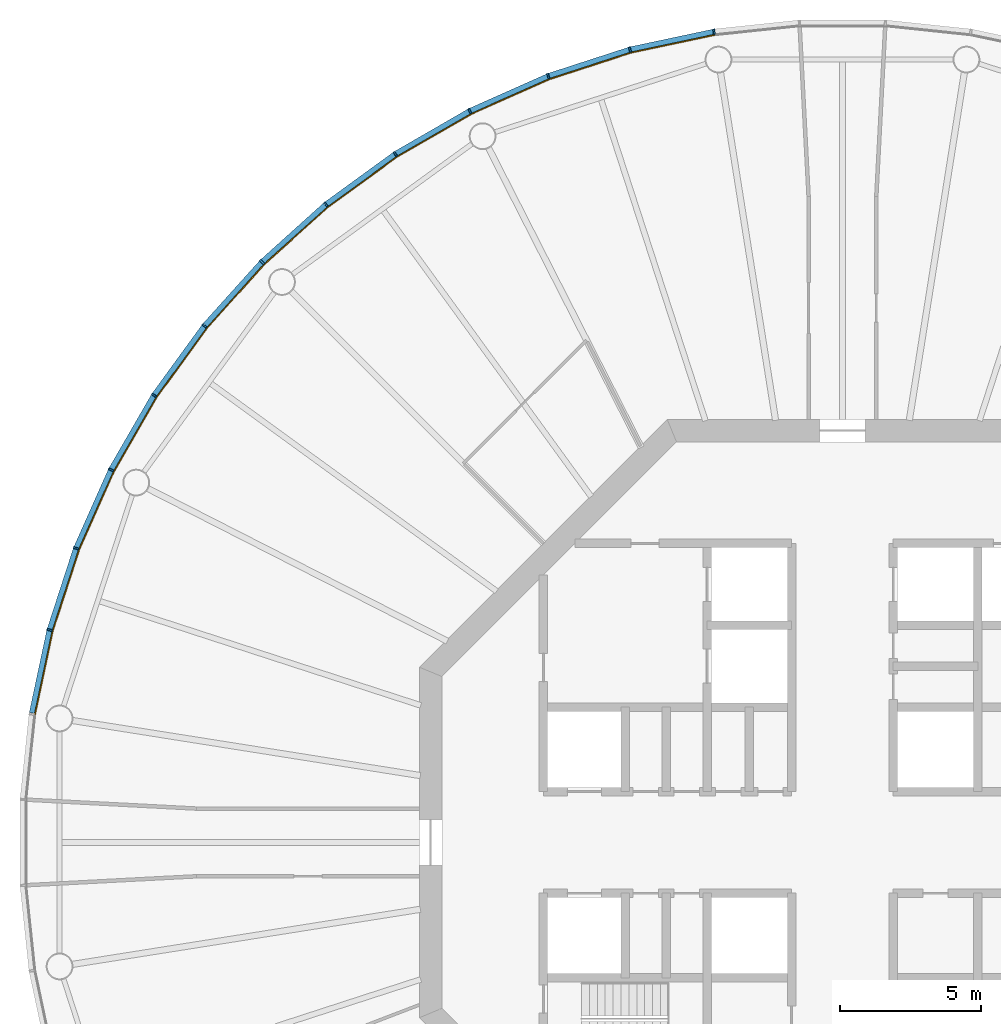
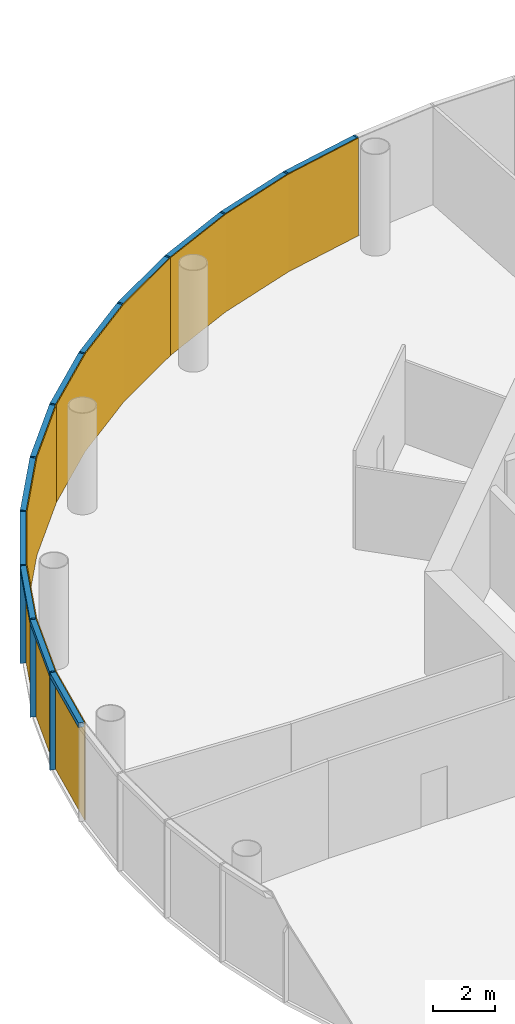
# One storey, part 10 of 13: 24 members, 4 curtain walls.
"""IFC4 building model written with IfcOpenShell, lengths in metres."""

from ifc_helpers import new_model, si_unit, direction, frame, origin, origin_2d, place, context, subcontext, project, spatial, polyline, rectangle, outline, extrude, material, layer, layer_set, material_profile, profile_set, type_object, element, aggregate, save


model = new_model("IFC4")

# Units and contexts
model_context = context("Model", 3, precision=1e-05, world=origin(), true_north=direction((0.0, 1.0)))
body_context = subcontext(model_context, "Body", "Model", "MODEL_VIEW")
ifc_project = project(units=[si_unit("LENGTHUNIT", "METRE"), si_unit("AREAUNIT", "SQUARE_METRE"), si_unit("VOLUMEUNIT", "CUBIC_METRE"), si_unit("PLANEANGLEUNIT", "RADIAN"), si_unit("MASSUNIT", "GRAM", prefix="KILO")], contexts=[model_context])

# Member
ifc_material_1 = material(Name="Anodised aluminium", Category="aluminium")
ifc_material_profile_1 = material_profile(ifc_material_1, rectangle(XDim=0.06494140625, YDim=0.195068359375, at=origin_2d()), Name="Mullion 65 x 195 mm anodised aluminium")
ifc_profile_set_1 = profile_set([ifc_material_profile_1], Name="Anodised aluminium")
member_type_1 = type_object("IfcMemberType", Name="Mullion 65 x 195 mm anodised aluminium", PredefinedType="MULLION", material=ifc_profile_set_1)
site_placement = place(None, origin())
building_placement = place(site_placement, origin())
storey_placement = place(building_placement, frame((0.0, 0.0, 302.0)))
member_1_placement = place(storey_placement, frame((85.4482421875, 108.7392578125, 0.0), z_axis=(0.0, 0.0, 1.0), x_axis=(-0.987688340595, -0.15643446504, 0.0)))
member_1 = element("IfcMember", 1, at=member_1_placement, type_object=member_type_1, Name="MULLION L69-15", PredefinedType="MULLION", context=body_context, shape_type="SweptSolid", body=[
    extrude(rectangle(XDim=0.06494140625, YDim=0.195068359375, at=origin_2d()), origin(), (0.0, 0.0, 1.0), 3.85009765625),
])

member_2_placement = place(storey_placement, frame((82.468994140625, 108.10595703125, 0.0), z_axis=(0.0, 0.0, 1.0), x_axis=(-0.965925826289, -0.258819045103, 0.0)))
member_2 = element("IfcMember", 2, at=member_2_placement, type_object=member_type_1, Name="MULLION L69-16", PredefinedType="MULLION", context=body_context, shape_type="SweptSolid", body=[
    extrude(rectangle(XDim=0.06494140625, YDim=0.195068359375, at=origin_2d()), origin(), (0.0, 0.0, 1.0), 3.85009765625),
])

member_3_placement = place(storey_placement, frame((79.572509765625, 107.164794921875, 0.0), z_axis=(0.0, 0.0, 1.0), x_axis=(-0.933580426497, -0.358367949545, 0.0)))
member_3 = element("IfcMember", 3, at=member_3_placement, type_object=member_type_1, Name="MULLION L69-17", PredefinedType="MULLION", context=body_context, shape_type="SweptSolid", body=[
    extrude(rectangle(XDim=0.06494140625, YDim=0.195068359375, at=origin_2d()), origin(), (0.0, 0.0, 1.0), 3.85009765625),
])

member_4_placement = place(storey_placement, frame((76.7900390625, 105.926025390625, 0.0), z_axis=(0.0, 0.0, 1.0), x_axis=(-0.891006524188, -0.45399049974, 0.0)))
member_4 = element("IfcMember", 4, at=member_4_placement, type_object=member_type_1, Name="MULLION L69-18", PredefinedType="MULLION", context=body_context, shape_type="SweptSolid", body=[
    extrude(rectangle(XDim=0.06494140625, YDim=0.195068359375, at=origin_2d()), origin(), (0.0, 0.0, 1.0), 3.85009765625),
])

member_5_placement = place(storey_placement, frame((74.15234375, 104.4033203125, 0.0), z_axis=(0.0, 0.0, 1.0), x_axis=(-0.838670567945, -0.544639035015, 0.0)))
member_5 = element("IfcMember", 5, at=member_5_placement, type_object=member_type_1, Name="MULLION L69-19", PredefinedType="MULLION", context=body_context, shape_type="SweptSolid", body=[
    extrude(rectangle(XDim=0.06494140625, YDim=0.195068359375, at=origin_2d()), origin(), (0.0, 0.0, 1.0), 3.85009765625),
])

member_6_placement = place(storey_placement, frame((71.688232421875, 102.613037109375, 0.0), z_axis=(0.0, 0.0, 1.0), x_axis=(-0.777145961457, -0.62932039105, 0.0)))
member_6 = element("IfcMember", 6, at=member_6_placement, type_object=member_type_1, Name="MULLION L69-20", PredefinedType="MULLION", context=body_context, shape_type="SweptSolid", body=[
    extrude(rectangle(XDim=0.06494140625, YDim=0.195068359375, at=origin_2d()), origin(), (0.0, 0.0, 1.0), 3.85009765625),
])

member_7_placement = place(storey_placement, frame((69.425048828125, 100.574951171875, 0.0), z_axis=(0.0, 0.0, 1.0), x_axis=(-0.707106781187, -0.707106781187, 0.0)))
member_7 = element("IfcMember", 7, at=member_7_placement, type_object=member_type_1, Name="MULLION L69-21", PredefinedType="MULLION", context=body_context, shape_type="SweptSolid", body=[
    extrude(rectangle(XDim=0.06494140625, YDim=0.195068359375, at=origin_2d()), origin(), (0.0, 0.0, 1.0), 3.85009765625),
])

member_8_placement = place(storey_placement, frame((67.386962890625, 98.311767578125, 0.0), z_axis=(0.0, 0.0, 1.0), x_axis=(-0.62932039105, -0.777145961457, 0.0)))
member_8 = element("IfcMember", 8, at=member_8_placement, type_object=member_type_1, Name="MULLION L69-22", PredefinedType="MULLION", context=body_context, shape_type="SweptSolid", body=[
    extrude(rectangle(XDim=0.06494140625, YDim=0.195068359375, at=origin_2d()), origin(), (0.0, 0.0, 1.0), 3.85009765625),
])

member_9_placement = place(storey_placement, frame((65.5966796875, 95.84765625, 0.0), z_axis=(0.0, 0.0, 1.0), x_axis=(-0.544639035015, -0.838670567945, 0.0)))
member_9 = element("IfcMember", 9, at=member_9_placement, type_object=member_type_1, Name="MULLION L69-23", PredefinedType="MULLION", context=body_context, shape_type="SweptSolid", body=[
    extrude(rectangle(XDim=0.06494140625, YDim=0.195068359375, at=origin_2d()), origin(), (0.0, 0.0, 1.0), 3.85009765625),
])

member_10_placement = place(storey_placement, frame((64.073974609375, 93.2099609375, 0.0), z_axis=(0.0, 0.0, 1.0), x_axis=(-0.45399049974, -0.891006524188, 0.0)))
member_10 = element("IfcMember", 10, at=member_10_placement, type_object=member_type_1, Name="MULLION L69-24", PredefinedType="MULLION", context=body_context, shape_type="SweptSolid", body=[
    extrude(rectangle(XDim=0.06494140625, YDim=0.195068359375, at=origin_2d()), origin(), (0.0, 0.0, 1.0), 3.85009765625),
])

member_11_placement = place(storey_placement, frame((62.835205078125, 90.427490234375, 0.0), z_axis=(0.0, 0.0, 1.0), x_axis=(-0.358367949545, -0.933580426497, 0.0)))
member_11 = element("IfcMember", 11, at=member_11_placement, type_object=member_type_1, Name="MULLION L69-25", PredefinedType="MULLION", context=body_context, shape_type="SweptSolid", body=[
    extrude(rectangle(XDim=0.06494140625, YDim=0.195068359375, at=origin_2d()), origin(), (0.0, 0.0, 1.0), 3.85009765625),
])

member_12_placement = place(storey_placement, frame((61.89404296875, 87.531005859375, 0.0), z_axis=(0.0, 0.0, 1.0), x_axis=(-0.258819045103, -0.965925826289, 0.0)))
member_12 = element("IfcMember", 12, at=member_12_placement, type_object=member_type_1, Name="MULLION L69-26", PredefinedType="MULLION", context=body_context, shape_type="SweptSolid", body=[
    extrude(rectangle(XDim=0.06494140625, YDim=0.195068359375, at=origin_2d()), origin(), (0.0, 0.0, 1.0), 3.85009765625),
])

ifc_material_2 = material(Name="Anodised aluminium", Category="aluminium")
ifc_material_profile_2 = material_profile(ifc_material_2, rectangle(XDim=0.195068359375, YDim=0.179931640625, at=origin_2d()), Name="Transom 180 x 195 mm anodised aluminium")
ifc_profile_set_2 = profile_set([ifc_material_profile_2], Name="Anodised aluminium")
member_type_2 = type_object("IfcMemberType", Name="Transom 180 x 195 mm anodised aluminium", PredefinedType="USERDEFINED", material=ifc_profile_set_2)
member_13_placement = place(storey_placement, frame((85.411376953125, 108.731689453125, 3.760009765625), z_axis=(-0.978141510112, -0.207940342877, 0.0), x_axis=(0.207940342877, -0.978141510112, 0.0)))
member_13 = element("IfcMember", 13, at=member_13_placement, type_object=member_type_2, Name="TRANSOM L69-15", ObjectType="TRANSOM", PredefinedType="USERDEFINED", context=body_context, shape_type="SweptSolid", body=[
    extrude(rectangle(XDim=0.195068359375, YDim=0.179931640625, at=origin_2d()), origin(), (0.0, 0.0, 1.0), 2.970458984375),
])

member_14_placement = place(storey_placement, frame((82.43310546875, 108.094482421875, 3.760009765625), z_axis=(-0.951047960094, -0.309043326415, 0.0), x_axis=(0.309043326415, -0.951047960094, 0.0)))
member_14 = element("IfcMember", 14, at=member_14_placement, type_object=member_type_2, Name="TRANSOM L69-16", ObjectType="TRANSOM", PredefinedType="USERDEFINED", context=body_context, shape_type="SweptSolid", body=[
    extrude(rectangle(XDim=0.195068359375, YDim=0.179931640625, at=origin_2d()), origin(), (0.0, 0.0, 1.0), 2.970458984375),
])

member_15_placement = place(storey_placement, frame((79.5380859375, 107.149658203125, 3.760009765625), z_axis=(-0.913550406593, -0.406725527369, 0.0), x_axis=(0.406725527369, -0.913550406593, 0.0)))
member_15 = element("IfcMember", 15, at=member_15_placement, type_object=member_type_2, Name="TRANSOM L69-17", ObjectType="TRANSOM", PredefinedType="USERDEFINED", context=body_context, shape_type="SweptSolid", body=[
    extrude(rectangle(XDim=0.195068359375, YDim=0.179931640625, at=origin_2d()), origin(), (0.0, 0.0, 1.0), 2.970703125),
])

member_16_placement = place(storey_placement, frame((76.75732421875, 105.907470703125, 3.760009765625), z_axis=(-0.866009025146, -0.500028367561, 0.0), x_axis=(0.500028367561, -0.866009025146, 0.0)))
member_16 = element("IfcMember", 16, at=member_16_placement, type_object=member_type_2, Name="TRANSOM L69-18", ObjectType="TRANSOM", PredefinedType="USERDEFINED", context=body_context, shape_type="SweptSolid", body=[
    extrude(rectangle(XDim=0.195068359375, YDim=0.179931640625, at=origin_2d()), origin(), (0.0, 0.0, 1.0), 2.970458984375),
])

member_17_placement = place(storey_placement, frame((74.121826171875, 104.381103515625, 3.760009765625), z_axis=(-0.809030990733, -0.587765987476, 0.0), x_axis=(0.587765987476, -0.809030990733, 0.0)))
member_17 = element("IfcMember", 17, at=member_17_placement, type_object=member_type_2, Name="TRANSOM L69-19", ObjectType="TRANSOM", PredefinedType="USERDEFINED", context=body_context, shape_type="SweptSolid", body=[
    extrude(rectangle(XDim=0.195068359375, YDim=0.179931640625, at=origin_2d()), origin(), (0.0, 0.0, 1.0), 2.97021484375),
])

member_18_placement = place(storey_placement, frame((71.660400390625, 102.587890625, 3.760009765625), z_axis=(-0.743163354343, -0.669110027395, 0.0), x_axis=(0.669110027395, -0.743163354343, 0.0)))
member_18 = element("IfcMember", 18, at=member_18_placement, type_object=member_type_2, Name="TRANSOM L69-20", ObjectType="TRANSOM", PredefinedType="USERDEFINED", context=body_context, shape_type="SweptSolid", body=[
    extrude(rectangle(XDim=0.195068359375, YDim=0.179931640625, at=origin_2d()), origin(), (0.0, 0.0, 1.0), 2.970458984375),
])

member_19_placement = place(storey_placement, frame((69.399658203125, 100.547119140625, 3.760009765625), z_axis=(-0.669110027395, -0.743163354343, 0.0), x_axis=(0.743163354343, -0.669110027395, 0.0)))
member_19 = element("IfcMember", 19, at=member_19_placement, type_object=member_type_2, Name="TRANSOM L69-21", ObjectType="TRANSOM", PredefinedType="USERDEFINED", context=body_context, shape_type="SweptSolid", body=[
    extrude(rectangle(XDim=0.195068359375, YDim=0.179931640625, at=origin_2d()), origin(), (0.0, 0.0, 1.0), 2.970458984375),
])

member_20_placement = place(storey_placement, frame((67.36474609375, 98.28125, 3.760009765625), z_axis=(-0.587765987476, -0.809030990733, 0.0), x_axis=(0.809030990733, -0.587765987476, 0.0)))
member_20 = element("IfcMember", 20, at=member_20_placement, type_object=member_type_2, Name="TRANSOM L69-22", ObjectType="TRANSOM", PredefinedType="USERDEFINED", context=body_context, shape_type="SweptSolid", body=[
    extrude(rectangle(XDim=0.195068359375, YDim=0.179931640625, at=origin_2d()), origin(), (0.0, 0.0, 1.0), 2.97021484375),
])

member_21_placement = place(storey_placement, frame((65.577880859375, 95.815185546875, 3.760009765625), z_axis=(-0.500028367561, -0.866009025146, 0.0), x_axis=(0.866009025146, -0.500028367561, 0.0)))
member_21 = element("IfcMember", 21, at=member_21_placement, type_object=member_type_2, Name="TRANSOM L69-23", ObjectType="TRANSOM", PredefinedType="USERDEFINED", context=body_context, shape_type="SweptSolid", body=[
    extrude(rectangle(XDim=0.195068359375, YDim=0.179931640625, at=origin_2d()), origin(), (0.0, 0.0, 1.0), 2.970458984375),
])

member_22_placement = place(storey_placement, frame((64.05859375, 93.17578125, 3.760009765625), z_axis=(-0.406725527369, -0.913550406593, 0.0), x_axis=(0.913550406593, -0.406725527369, 0.0)))
member_22 = element("IfcMember", 22, at=member_22_placement, type_object=member_type_2, Name="TRANSOM L69-24", ObjectType="TRANSOM", PredefinedType="USERDEFINED", context=body_context, shape_type="SweptSolid", body=[
    extrude(rectangle(XDim=0.195068359375, YDim=0.179931640625, at=origin_2d()), origin(), (0.0, 0.0, 1.0), 2.970703125),
])

member_23_placement = place(storey_placement, frame((62.823486328125, 90.391845703125, 3.760009765625), z_axis=(-0.309043326415, -0.951047960094, 0.0), x_axis=(0.951047960094, -0.309043326415, 0.0)))
member_23 = element("IfcMember", 23, at=member_23_placement, type_object=member_type_2, Name="TRANSOM L69-25", ObjectType="TRANSOM", PredefinedType="USERDEFINED", context=body_context, shape_type="SweptSolid", body=[
    extrude(rectangle(XDim=0.195068359375, YDim=0.179931640625, at=origin_2d()), origin(), (0.0, 0.0, 1.0), 2.970458984375),
])

member_24_placement = place(storey_placement, frame((61.885986328125, 87.494140625, 3.760009765625), z_axis=(-0.207940342877, -0.978141510112, 0.0), x_axis=(0.978141510112, -0.207940342877, 0.0)))
member_24 = element("IfcMember", 24, at=member_24_placement, type_object=member_type_2, Name="TRANSOM L69-26", ObjectType="TRANSOM", PredefinedType="USERDEFINED", context=body_context, shape_type="SweptSolid", body=[
    extrude(rectangle(XDim=0.195068359375, YDim=0.179931640625, at=origin_2d()), origin(), (0.0, 0.0, 1.0), 2.970458984375),
])

# Site, building, storey
site = spatial("IfcSite", under=ifc_project, at=site_placement, CompositionType="ELEMENT")
building = spatial("IfcBuilding", under=site, at=building_placement, Name="Entoto Ring Tower", CompositionType="ELEMENT")
storey = spatial("IfcBuildingStorey", under=building, at=storey_placement, Name="L69", CompositionType="ELEMENT", Elevation=302.0)

# Curtain wall
ifc_material_3 = material(Name="Clear low-iron glass", Category="glass")
ifc_layer = layer(ifc_material_3, 0.033935546875)
ifc_layer_set = layer_set([ifc_layer], Name="Clear low-iron glass")
curtain_wall_type = type_object("IfcCurtainWallType", Name="Curtain wall system CW5 glazing 34 mm", PredefinedType="NOTDEFINED", material=ifc_layer_set)
curtain_wall_1_placement = place(storey_placement, origin())
curtain_wall_1 = element("IfcCurtainWall", 25, at=curtain_wall_1_placement, inside=storey, type_object=curtain_wall_type, Name="CW5 L69-06", PredefinedType="NOTDEFINED", context=body_context, shape_type="SweptSolid", body=[
    extrude(outline(polyline([(85.46337890625, 108.64306640625), (82.494140625, 108.011962890625), (79.607421875, 107.07373046875), (76.834228515625, 105.839111328125), (76.849853515625, 105.808837890625), (79.61962890625, 107.0419921875), (82.503173828125, 107.97900390625), (85.46875, 108.609375), (85.46337890625, 108.64306640625)])), origin(), (0.0, 0.0, 1.0), 3.85009765625),
])

aggregate(curtain_wall_1, [member_1, member_2, member_3, member_13, member_14, member_15])

curtain_wall_2_placement = place(storey_placement, origin())
curtain_wall_2 = element("IfcCurtainWall", 26, at=curtain_wall_2_placement, inside=storey, type_object=curtain_wall_type, Name="CW5 L69-07", PredefinedType="NOTDEFINED", context=body_context, shape_type="SweptSolid", body=[
    extrude(outline(polyline([(76.834228515625, 105.839111328125), (74.20556640625, 104.321533203125), (71.749755859375, 102.537353515625), (69.493896484375, 100.506103515625), (69.51806640625, 100.48193359375), (71.771240234375, 102.5107421875), (74.22412109375, 104.29296875), (76.849853515625, 105.808837890625), (76.834228515625, 105.839111328125)])), origin(), (0.0, 0.0, 1.0), 3.85009765625),
])

aggregate(curtain_wall_2, [member_4, member_5, member_6, member_16, member_17, member_18])

curtain_wall_3_placement = place(storey_placement, origin())
curtain_wall_3 = element("IfcCurtainWall", 27, at=curtain_wall_3_placement, inside=storey, type_object=curtain_wall_type, Name="CW5 L69-08", PredefinedType="NOTDEFINED", context=body_context, shape_type="SweptSolid", body=[
    extrude(outline(polyline([(69.493896484375, 100.506103515625), (67.462646484375, 98.250244140625), (65.678466796875, 95.79443359375), (64.160888671875, 93.165771484375), (64.191162109375, 93.150146484375), (65.70703125, 95.77587890625), (67.4892578125, 98.228759765625), (69.51806640625, 100.48193359375), (69.493896484375, 100.506103515625)])), origin(), (0.0, 0.0, 1.0), 3.85009765625),
])

aggregate(curtain_wall_3, [member_7, member_8, member_9, member_19, member_20, member_21])

curtain_wall_4_placement = place(storey_placement, origin())
curtain_wall_4 = element("IfcCurtainWall", 28, at=curtain_wall_4_placement, inside=storey, type_object=curtain_wall_type, Name="CW5 L69-09", PredefinedType="NOTDEFINED", context=body_context, shape_type="SweptSolid", body=[
    extrude(outline(polyline([(64.160888671875, 93.165771484375), (62.92626953125, 90.392578125), (61.988037109375, 87.505859375), (61.35693359375, 84.53662109375), (61.390625, 84.53125), (62.02099609375, 87.496826171875), (62.9580078125, 90.38037109375), (64.191162109375, 93.150146484375), (64.160888671875, 93.165771484375)])), origin(), (0.0, 0.0, 1.0), 3.85009765625),
])

aggregate(curtain_wall_4, [member_10, member_11, member_12, member_22, member_23, member_24])

save(model, "model.ifc")
